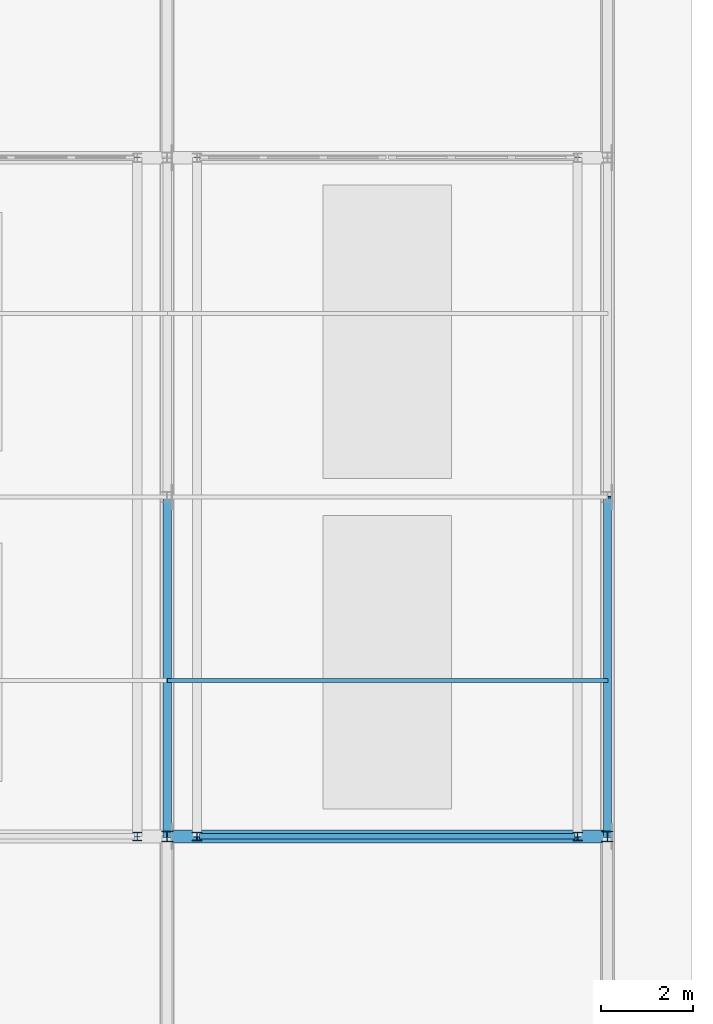
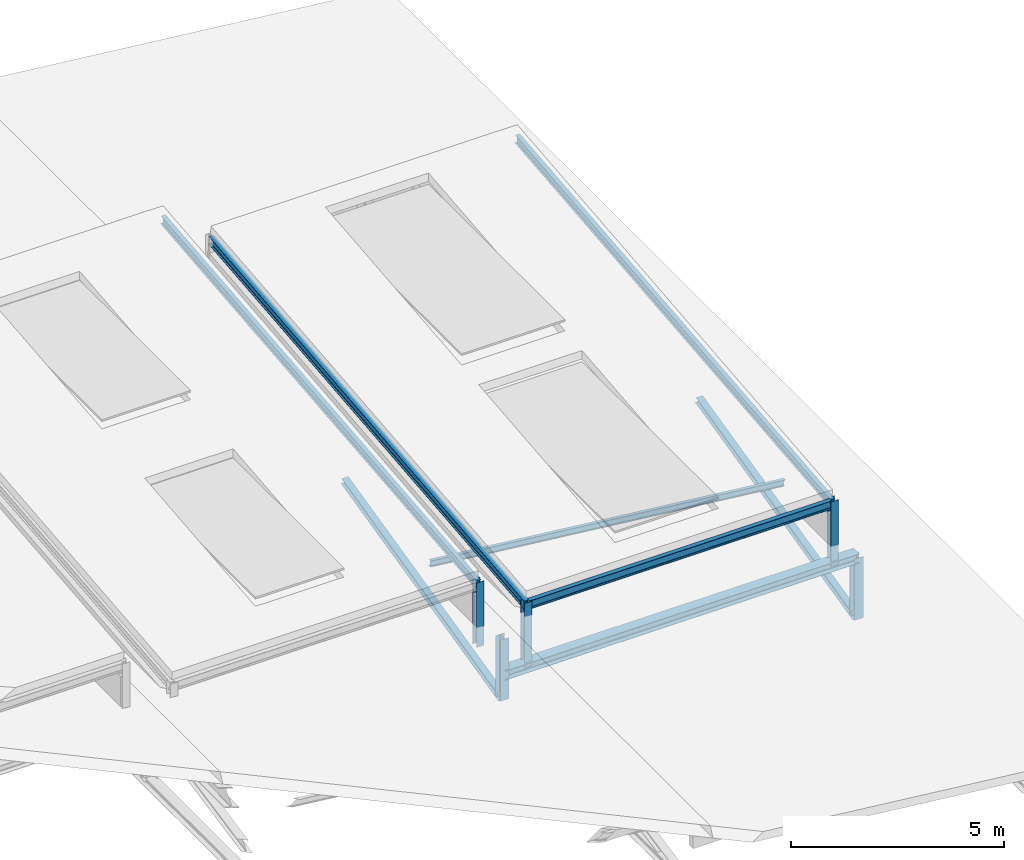
# One storey, part 20 of 30: 8 members, 5 beams.
"""IFC4 building model written with IfcOpenShell, lengths in metres."""

from ifc_helpers import new_model, si_unit, direction, frame, origin, origin_2d, place, context, subcontext, project, spatial, i_section, extrude, material, material_profile, profile_set, type_object, element, save


model = new_model("IFC4")

# Units and contexts
model_context = context("Model", 3, precision=1e-05, world=origin(), true_north=direction((0.0, 1.0)))
body_context = subcontext(model_context, "Body", "Model", "MODEL_VIEW")
ifc_project = project(units=[si_unit("LENGTHUNIT", "METRE"), si_unit("AREAUNIT", "SQUARE_METRE"), si_unit("VOLUMEUNIT", "CUBIC_METRE"), si_unit("PLANEANGLEUNIT", "RADIAN"), si_unit("MASSUNIT", "GRAM", prefix="KILO")], contexts=[model_context])

# Site, building, storey
site_placement = place(None, origin())
site = spatial("IfcSite", under=ifc_project, at=site_placement, CompositionType="ELEMENT")
building_placement = place(site_placement, origin())
building = spatial("IfcBuilding", under=site, at=building_placement, Name="Alderhovde Museum", CompositionType="ELEMENT")
storey_placement = place(building_placement, frame((0.0, 0.0, 30.699951171875)))
storey = spatial("IfcBuildingStorey", under=building, at=storey_placement, Name="RF", CompositionType="ELEMENT", Elevation=30.699951171875)

# Beams
ifc_material_1 = material(Name="Steel S355J2", Category="steel")
ifc_material_profile_1 = material_profile(ifc_material_1, i_section(OverallWidth=0.280029296875, OverallDepth=0.27001953125, WebThickness=0.008056640625, FlangeThickness=0.012939453125, FilletRadius=0.02392578125, at=origin_2d()), Name="HEA 280")
ifc_profile_set_1 = profile_set([ifc_material_profile_1], Name="Steel S355J2")
beam_type_1 = type_object("IfcBeamType", Name="BM-HEA280", PredefinedType="BEAM", material=ifc_profile_set_1)
beam_1_placement = place(storey_placement, frame((67.199951171875, 56.60009765625, -8.0), z_axis=(1.0, 0.0, 0.0), x_axis=(0.0, 1.0, 0.0)))
element("IfcBeam", 1, at=beam_1_placement, inside=storey, type_object=beam_type_1, Name="Sawtooth Monitor Stringer Bay 7-S", PredefinedType="BEAM", context=body_context, shape_type="SweptSolid", body=[
    extrude(i_section(OverallWidth=0.280029296875, OverallDepth=0.27001953125, WebThickness=0.008056640625, FlangeThickness=0.012939453125, FilletRadius=0.02392578125, at=origin_2d()), origin(), (0.0, 0.0, 1.0), 9.60009765625),
])
ifc_material_2 = material(Name="Steel S355J2", Category="steel")
ifc_material_profile_2 = material_profile(ifc_material_2, i_section(OverallWidth=0.1201171875, OverallDepth=0.239990234375, WebThickness=0.006103515625, FlangeThickness=0.009765625, FilletRadius=0.014892578125, at=origin_2d()), Name="IPE 240")
ifc_profile_set_2 = profile_set([ifc_material_profile_2], Name="Steel S355J2")
beam_type_2 = type_object("IfcBeamType", Name="BM-IPE240", PredefinedType="BEAM", material=ifc_profile_set_2)
beam_2_placement = place(storey_placement, frame((66.550048828125, 56.60009765625, -5.233154296875), z_axis=(0.0, 0.99503719021, 0.099503719021), x_axis=(-1.0, 0.0, 0.0)))
element("IfcBeam", 2, at=beam_2_placement, inside=storey, type_object=beam_type_2, Name="Sawtooth Monitor Wedge Rafter Bay 6-E", PredefinedType="BEAM", context=body_context, shape_type="SweptSolid", body=[
    extrude(i_section(OverallWidth=0.1201171875, OverallDepth=0.239990234375, WebThickness=0.006103515625, FlangeThickness=0.009765625, FilletRadius=0.014892578125, at=origin_2d()), origin(), (0.0, 0.0, 1.0), 14.87353515625),
])
beam_3_placement = place(storey_placement, frame((67.909912109375, 56.60009765625, -6.271728515625), z_axis=(1.0, 0.0, 0.0), x_axis=(0.0, 1.0, 0.0)))
element("IfcBeam", 3, at=beam_3_placement, inside=storey, type_object=beam_type_2, Name="Sawtooth Monitor Wedge Rafter Bay 7-S", PredefinedType="BEAM", context=body_context, shape_type="SweptSolid", body=[
    extrude(i_section(OverallWidth=0.1201171875, OverallDepth=0.239990234375, WebThickness=0.006103515625, FlangeThickness=0.009765625, FilletRadius=0.014892578125, at=origin_2d()), origin(), (0.0, 0.0, 1.0), 8.18017578125),
])
for number, where, z_axis, x_axis, name in (
    (4, (67.85009765625, 56.60009765625, -6.271728515625), (0.0, 0.99503719021, 0.099503719021), (-1.0, 0.0, 0.0), "Sawtooth Monitor Wedge Rafter Bay 7-W"),
    (5, (76.14990234375, 56.60009765625, -6.271728515625), (0.0, 0.99503719021, 0.099503719021), (-1.0, 0.0, 0.0), "Sawtooth Monitor Wedge Rafter Bay 7-E"),
):
    element("IfcBeam", number, at=place(storey_placement, frame(where, z_axis=z_axis, x_axis=x_axis)), inside=storey, type_object=beam_type_2, Name=name, PredefinedType="BEAM", context=body_context, shape_type="SweptSolid", body=[
        extrude(i_section(OverallWidth=0.1201171875, OverallDepth=0.239990234375, WebThickness=0.006103515625, FlangeThickness=0.009765625, FilletRadius=0.014892578125, at=origin_2d()), origin(), (0.0, 0.0, 1.0), 14.87353515625),
    ])

# Members
ifc_material_3 = material(Name="Steel S355J2", Category="steel")
ifc_material_profile_3 = material_profile(ifc_material_3, i_section(OverallWidth=0.091064453125, OverallDepth=0.179931640625, WebThickness=0.00537109375, FlangeThickness=0.008056640625, FilletRadius=0.009033203125, at=origin_2d()), Name="IPE 180")
ifc_profile_set_3 = profile_set([ifc_material_profile_3], Name="Steel S355J2")
member_type_1 = type_object("IfcMemberType", Name="PRL-IPE180", PredefinedType="PURLIN", material=ifc_profile_set_3)
member_placement = place(storey_placement, frame((67.199951171875, 60.0, -6.921630859375), z_axis=(0.994201715794, 0.0, -0.107531150432), x_axis=(0.0, 1.0, 0.0)))
element("IfcMember", 6, at=member_placement, inside=storey, type_object=member_type_1, Name="Folded Wing Roof Purlin Bay 7 Y=60", PredefinedType="PURLIN", context=body_context, shape_type="SweptSolid", body=[
    extrude(i_section(OverallWidth=0.091064453125, OverallDepth=0.179931640625, WebThickness=0.00537109375, FlangeThickness=0.008056640625, FilletRadius=0.009033203125, at=origin_2d()), origin(), (0.0, 0.0, 1.0), 9.656005859375),
])
ifc_material_4 = material(Name="Steel S355J2", Category="steel")
ifc_material_profile_4 = material_profile(ifc_material_4, i_section(OverallWidth=0.179931640625, OverallDepth=0.1708984375, WebThickness=0.006103515625, FlangeThickness=0.009521484375, FilletRadius=0.014892578125, at=origin_2d()), Name="HEA 180")
ifc_profile_set_4 = profile_set([ifc_material_profile_4], Name="Steel S355J2")
member_type_2 = type_object("IfcMemberType", Name="TR-DG-HEA180", PredefinedType="RAFTER", material=ifc_profile_set_4)
for number, where, z_axis, x_axis, name in (
    (7, (67.199951171875, 56.60009765625, -8.711669921875), (0.0, 0.973157163281, 0.230141555473), (-1.0, 0.0, 0.0), "Sawtooth Roof Truss X=67.2 Web Diagonal 2"),
    (8, (76.800048828125, 56.60009765625, -9.75), (0.0, 0.973157163281, 0.230141555473), (-1.0, 0.0, 0.0), "Sawtooth Roof Truss X=76.8 Web Diagonal 2"),
):
    element("IfcMember", number, at=place(storey_placement, frame(where, z_axis=z_axis, x_axis=x_axis)), inside=storey, type_object=member_type_2, Name=name, PredefinedType="RAFTER", context=body_context, shape_type="SweptSolid", body=[
        extrude(i_section(OverallWidth=0.179931640625, OverallDepth=0.1708984375, WebThickness=0.006103515625, FlangeThickness=0.009521484375, FilletRadius=0.014892578125, at=origin_2d()), origin(), (0.0, 0.0, 1.0), 7.60400390625),
    ])
ifc_material_5 = material(Name="Steel S355J2", Category="steel")
ifc_material_profile_5 = material_profile(ifc_material_5, i_section(OverallWidth=0.199951171875, OverallDepth=0.18994140625, WebThickness=0.006591796875, FlangeThickness=0.010009765625, FilletRadius=0.01806640625, at=origin_2d()), Name="HEA 200")
ifc_profile_set_5 = profile_set([ifc_material_profile_5], Name="Steel S355J2")
member_type_3 = type_object("IfcMemberType", Name="TR-PS-HEA200", PredefinedType="POST", material=ifc_profile_set_5)
for number, where, z_axis, x_axis, name in (
    (9, (66.550048828125, 56.60009765625, -6.961669921875), (0.0, 0.0, 1.0), (1.0, 0.0, 0.0), "Sawtooth Monitor Post Bay 6-2"),
    (10, (67.85009765625, 56.60009765625, -8.0), (0.0, 0.0, 1.0), (1.0, 0.0, 0.0), "Sawtooth Monitor Post Bay 7-1"),
    (11, (76.14990234375, 56.60009765625, -8.0), (0.0, 0.0, 1.0), (1.0, 0.0, 0.0), "Sawtooth Monitor Post Bay 7-2"),
):
    element("IfcMember", number, at=place(storey_placement, frame(where, z_axis=z_axis, x_axis=x_axis)), inside=storey, type_object=member_type_3, Name=name, PredefinedType="POST", context=body_context, shape_type="SweptSolid", body=[
        extrude(i_section(OverallWidth=0.199951171875, OverallDepth=0.18994140625, WebThickness=0.006591796875, FlangeThickness=0.010009765625, FilletRadius=0.01806640625, at=origin_2d()), origin(), (0.0, 0.0, 1.0), 1.848388671875),
    ])
ifc_material_6 = material(Name="Steel S355J2", Category="steel")
ifc_material_profile_6 = material_profile(ifc_material_6, i_section(OverallWidth=0.239990234375, OverallDepth=0.22998046875, WebThickness=0.007568359375, FlangeThickness=0.011962890625, FilletRadius=0.02099609375, at=origin_2d()), Name="HEA 240")
ifc_profile_set_6 = profile_set([ifc_material_profile_6], Name="Steel S355J2")
member_type_4 = type_object("IfcMemberType", Name="TR-PS-HEA240", PredefinedType="POST", material=ifc_profile_set_6)
for number, where, z_axis, x_axis, name in (
    (12, (67.199951171875, 56.60009765625, -8.711669921875), (0.0, 0.0, 1.0), (1.0, 0.0, 0.0), "Sawtooth Roof Truss X=67.2 Web Post 1"),
    (13, (76.800048828125, 56.60009765625, -9.75), (0.0, 0.0, 1.0), (1.0, 0.0, 0.0), "Sawtooth Roof Truss X=76.8 Web Post 1"),
):
    element("IfcMember", number, at=place(storey_placement, frame(where, z_axis=z_axis, x_axis=x_axis)), inside=storey, type_object=member_type_4, Name=name, PredefinedType="POST", context=body_context, shape_type="SweptSolid", body=[
        extrude(i_section(OverallWidth=0.239990234375, OverallDepth=0.22998046875, WebThickness=0.007568359375, FlangeThickness=0.011962890625, FilletRadius=0.02099609375, at=origin_2d()), origin(), (0.0, 0.0, 1.0), 1.75),
    ])

save(model, "model.ifc")
